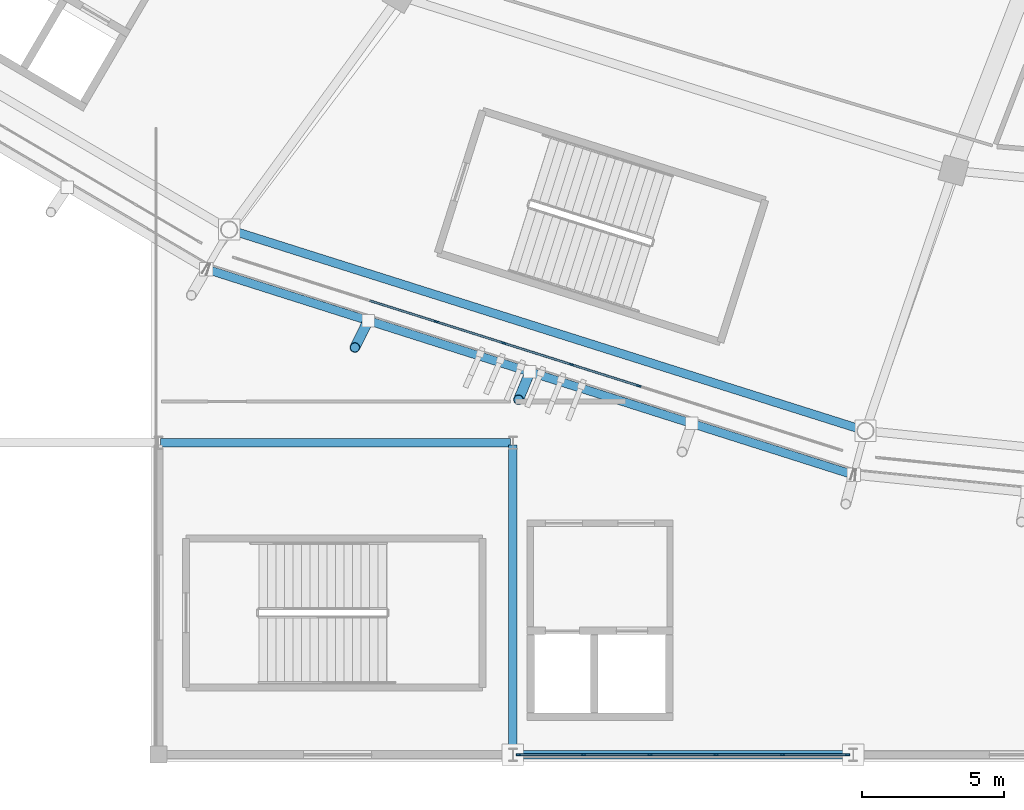
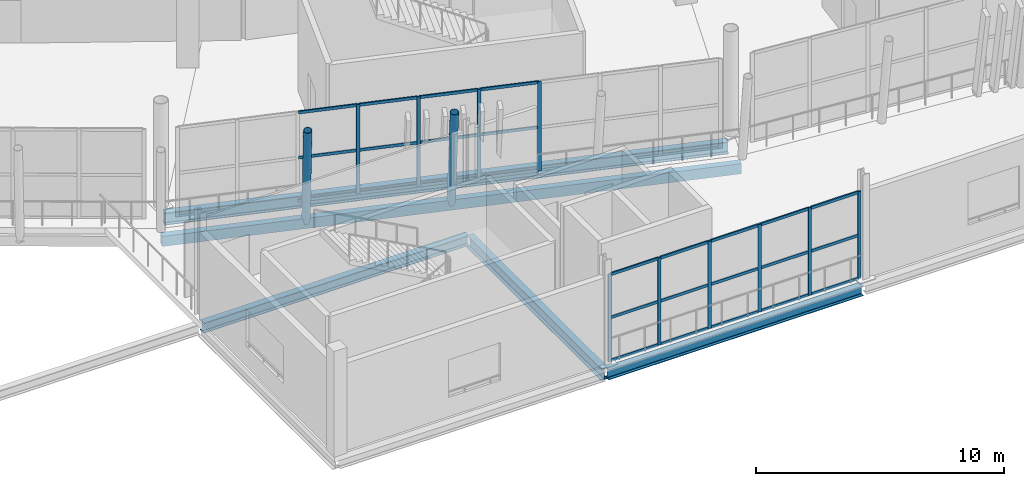
# One storey, part 32 of 178: 39 members, 5 beams, 2 elements without a shape of their own.
"""IFC4 building model written with IfcOpenShell, lengths in metres."""

import ifcopenshell
import ifcopenshell.guid

model = None  # the IFC model being written
_history = None  # IfcOwnerHistory: only IFC2X3 demands one
_inside = {}  # id of a spatial element -> (the spatial element, [elements in it])
_under = {}  # id of a project, library or spatial element -> (it, [spatial elements below it])
_declared = {}  # id of a project -> (the project, [libraries it declares])
_typed = {}  # id of a type object -> (the type object, [elements of that type])
_made_of = {}  # id of a material, layer set ... -> (it, [elements and type objects made of it])


def new_model(schema):
    """Start an empty IFC model of exactly this schema.

    Asked for "IFC4X3", IfcOpenShell would pick the latest addendum, in which some entities
    have other attributes; the version numbers below select the first issue.
    IFC2X3 requires an IfcOwnerHistory on every rooted entity: one is made here for all.
    """
    global model, _history
    if schema == "IFC4X3":
        model = ifcopenshell.file(schema_version=(4, 3, 0, 0))
    else:
        model = ifcopenshell.file(schema=schema)
    _inside.clear()
    _under.clear()
    _declared.clear()
    _typed.clear()
    _made_of.clear()
    _history = None
    if model.schema == "IFC2X3":
        org = make("IfcOrganization", Name="unknown")
        user = make(
            "IfcPersonAndOrganization",
            ThePerson=make("IfcPerson", FamilyName="unknown"),
            TheOrganization=org,
        )
        app = make(
            "IfcApplication",
            ApplicationDeveloper=org,
            Version="unknown",
            ApplicationFullName="unknown",
            ApplicationIdentifier="unknown",
        )
        _history = make(
            "IfcOwnerHistory",
            OwningUser=user,
            OwningApplication=app,
            ChangeAction="ADDED",
            CreationDate=0,
        )
    return model


def make(cls, **values):
    """One entity of the class cls with the attributes given. An attribute that is None is left unset."""
    return model.create_entity(
        cls, **{name: value for name, value in values.items() if value is not None}
    )


def rooted(cls, **values):
    """An entity with a GlobalId (a new one), such as an element, a storey or a relation."""
    return make(cls, GlobalId=ifcopenshell.guid.new(), OwnerHistory=_history, **values)


def si_unit(unit_type, name, prefix=None):
    """IfcSIUnit, for example si_unit("LENGTHUNIT", "METRE", prefix="MILLI")."""
    return make("IfcSIUnit", UnitType=unit_type, Prefix=prefix, Name=name)


def assignment(units):
    """IfcUnitAssignment: the units of a project."""
    return None if units is None else make("IfcUnitAssignment", Units=units)


def point(xyz):
    """IfcCartesianPoint."""
    return None if xyz is None else make("IfcCartesianPoint", Coordinates=xyz)


def direction(xyz):
    """IfcDirection."""
    return None if xyz is None else make("IfcDirection", DirectionRatios=xyz)


def frame(location, z_axis=None, x_axis=None):
    """IfcAxis2Placement3D, a coordinate frame: its origin and axes. An axis left out is left unset."""
    return make(
        "IfcAxis2Placement3D",
        Location=point(location),
        Axis=direction(z_axis),
        RefDirection=direction(x_axis),
    )


def frame_2d(location, x_axis=None):
    """IfcAxis2Placement2D, a coordinate frame in the plane: its origin and x axis."""
    return make(
        "IfcAxis2Placement2D", Location=point(location), RefDirection=direction(x_axis)
    )


def origin():
    """The frame at (0, 0, 0) with its axes left unset."""
    return frame((0.0, 0.0, 0.0))


def origin_2d():
    """The frame at (0, 0) in the plane with its x axis left unset."""
    return frame_2d((0.0, 0.0))


def place(relative_to, where):
    """IfcLocalPlacement: puts the frame where relative to a parent placement (None: the world)."""
    return make(
        "IfcLocalPlacement", PlacementRelTo=relative_to, RelativePlacement=where
    )


def context(
    kind, dimensions, precision=None, world=None, true_north=None, identifier=None
):
    """IfcGeometricRepresentationContext, for example the 3D "Model" context."""
    return make(
        "IfcGeometricRepresentationContext",
        ContextIdentifier=identifier,
        ContextType=kind,
        CoordinateSpaceDimension=dimensions,
        Precision=precision,
        WorldCoordinateSystem=world,
        TrueNorth=true_north,
    )


def subcontext(parent, identifier, kind, view, scale=None):
    """IfcGeometricRepresentationSubContext, for example "Body" below "Model"."""
    return make(
        "IfcGeometricRepresentationSubContext",
        ContextIdentifier=identifier,
        ContextType=kind,
        ParentContext=parent,
        TargetScale=scale,
        TargetView=view,
    )


def project(units=None, contexts=None):
    """IfcProject with its units and contexts."""
    return rooted(
        "IfcProject",
        Name="project",
        RepresentationContexts=contexts,
        UnitsInContext=assignment(units),
    )


def spatial(cls, under=None, at=None, **own):
    """A site, building, storey or space (cls), placed at a placement, below another one or the project."""
    s = rooted(cls, ObjectPlacement=at, **own)
    if under is not None:
        _under.setdefault(under.id(), (under, []))[1].append(s)
    return s


def profile(cls, at=None, kind="AREA", **sizes):
    """A parametric profile (cls). Its sizes go by their IFC names, for example OverallWidth=200.0."""
    return make(cls, ProfileType=kind, Position=at, **sizes)


def rectangle(**sizes):
    """IfcRectangleProfileDef."""
    return profile("IfcRectangleProfileDef", **sizes)


def hollow_rectangle(**sizes):
    """IfcRectangleHollowProfileDef."""
    return profile("IfcRectangleHollowProfileDef", **sizes)


def hollow_circle(**sizes):
    """IfcCircleHollowProfileDef."""
    return profile("IfcCircleHollowProfileDef", **sizes)


def i_section(**sizes):
    """IfcIShapeProfileDef."""
    return profile("IfcIShapeProfileDef", **sizes)


def extrude(swept, where, along, depth):
    """IfcExtrudedAreaSolid: the profile swept, set in the frame where, extruded along a direction by depth."""
    return make(
        "IfcExtrudedAreaSolid",
        SweptArea=swept,
        Position=where,
        ExtrudedDirection=direction(along),
        Depth=depth,
    )


def shape(context_of_items, identifier, shape_type, items):
    """IfcShapeRepresentation: the items that make up one representation, for example the "Body"."""
    return make(
        "IfcShapeRepresentation",
        ContextOfItems=context_of_items,
        RepresentationIdentifier=identifier,
        RepresentationType=shape_type,
        Items=items,
    )


def material(Name=None, Category=None):
    """IfcMaterial."""
    return make("IfcMaterial", Name=Name, Category=Category)


def material_profile(
    of_material, cross_section, Name=None, Category=None, Priority=None
):
    """IfcMaterialProfile: a cross section and its material."""
    return make(
        "IfcMaterialProfile",
        Name=Name,
        Material=of_material,
        Profile=cross_section,
        Priority=Priority,
        Category=Category,
    )


def profile_set(profiles, Name=None, composite=None):
    """IfcMaterialProfileSet."""
    return make(
        "IfcMaterialProfileSet",
        Name=Name,
        MaterialProfiles=profiles,
        CompositeProfile=composite,
    )


def made_of(thing, what):
    """Note that an element or type object is made of a material, layer set ...; save() writes the relation."""
    if what is not None:
        _made_of.setdefault(what.id(), (what, []))[1].append(thing)
    return thing


def type_object(cls, material=None, **own):
    """A type object (cls), such as IfcWallType, which elements share."""
    return made_of(rooted(cls, **own), material)


def element(
    cls,
    number,
    at=None,
    inside=None,
    cuts=None,
    type_object=None,
    material=None,
    context=None,
    identifier="Body",
    shape_type=None,
    held_by="IfcProductDefinitionShape",
    body=None,
    shapes=None,
    **own,
):
    """One element of the class cls, such as IfcWall. Its Tag is "e" and its number.

    at: its placement. inside: the storey or other place that contains it. cuts: it is an
    opening in that element (IfcRelVoidsElement). A single representation is given by context,
    identifier, shape_type and body (its items); several are given by shapes. held_by: the class
    of the entity that holds the representations. save() writes the other relations.
    """
    e = rooted(cls, Tag="e%d" % number, ObjectPlacement=at, **own)
    if body is not None:
        shapes = [shape(context, identifier, shape_type, body)]
    if shapes is not None:
        e.Representation = make(held_by, Representations=shapes)
    if inside is not None:
        _inside.setdefault(inside.id(), (inside, []))[1].append(e)
    if cuts is not None:
        rooted(
            "IfcRelVoidsElement", RelatingBuildingElement=cuts, RelatedOpeningElement=e
        )
    if type_object is not None:
        _typed.setdefault(type_object.id(), (type_object, []))[1].append(e)
    return made_of(e, material)


def aggregate(whole, parts):
    """IfcRelAggregates: a whole, such as a stair, and the parts it consists of."""
    return rooted("IfcRelAggregates", RelatingObject=whole, RelatedObjects=parts)


def save(model, path):
    """Write the relations noted so far, then the file.

    IfcRelAggregates (storeys below a building ...), IfcRelContainedInSpatialStructure (elements
    in a storey), IfcRelDefinesByType, IfcRelAssociatesMaterial and IfcRelDeclares: one each for
    every whole, place, type object, material and project.
    """
    for whole, parts in _under.values():
        aggregate(whole, parts)
    for where, things in _inside.values():
        rooted(
            "IfcRelContainedInSpatialStructure",
            RelatedElements=things,
            RelatingStructure=where,
        )
    for kind, things in _typed.values():
        rooted("IfcRelDefinesByType", RelatedObjects=things, RelatingType=kind)
    for what, things in _made_of.values():
        rooted("IfcRelAssociatesMaterial", RelatedObjects=things, RelatingMaterial=what)
    for by, libraries in _declared.values():
        rooted("IfcRelDeclares", RelatingContext=by, RelatedDefinitions=libraries)
    model.write(path)


model = new_model("IFC4")

# Units and contexts
model_context = context("Model", 3, precision=1e-05, world=origin(), true_north=direction((0.0, 1.0)))
body_context = subcontext(model_context, "Body", "Model", "MODEL_VIEW")
ifc_project = project(units=[si_unit("LENGTHUNIT", "METRE"), si_unit("AREAUNIT", "SQUARE_METRE"), si_unit("VOLUMEUNIT", "CUBIC_METRE"), si_unit("PLANEANGLEUNIT", "RADIAN"), si_unit("MASSUNIT", "GRAM", prefix="KILO")], contexts=[model_context])

# Site, building, storey
site_placement = place(None, origin())
site = spatial("IfcSite", under=ifc_project, at=site_placement, CompositionType="ELEMENT")
building_placement = place(site_placement, origin())
building = spatial("IfcBuilding", under=site, at=building_placement, Name="Zlatoyarsky Gate Stadium", CompositionType="ELEMENT")
storey_placement = place(building_placement, frame((0.0, 0.0, 5.39990234375)))
storey = spatial("IfcBuildingStorey", under=building, at=storey_placement, Name="L01", CompositionType="ELEMENT", Elevation=5.39990234375)

# Curtain wall, members
ifc_material_1 = material(Name="Thermally broken anodised aluminium curtain wall", Category="aluminium")
curtain_wall_type_1 = type_object("IfcCurtainWallType", Name="UNITISED HOSPITALITY GLAZING L01", PredefinedType="USERDEFINED", material=ifc_material_1)
curtain_wall_1_placement = place(storey_placement, origin())
curtain_wall_1 = element("IfcCurtainWall", 1, at=curtain_wall_1_placement, inside=storey, type_object=curtain_wall_type_1, Name="Curtain wall CW-L01-16", ObjectType="UNITISED GLAZING", PredefinedType="USERDEFINED")
ifc_material_2 = material(Name="Anodised aluminium 6063-T6", Category="aluminium")
ifc_material_profile_1 = material_profile(ifc_material_2, rectangle(XDim=0.06494140625, YDim=0.159912109375, at=origin_2d()), Name="ALU 65X160")
ifc_profile_set_1 = profile_set([ifc_material_profile_1], Name="Anodised aluminium 6063-T6")
member_type_1 = type_object("IfcMemberType", Name="ALUMINIUM MULLION 65X160", PredefinedType="MULLION", material=ifc_profile_set_1)
member_1_placement = place(storey_placement, frame((71.802001953125, 15.265380859375, 0.0), z_axis=(0.0, 0.0, 1.0), x_axis=(0.302333944964, 0.953202069722, 0.0)))
member_1 = element("IfcMember", 2, at=member_1_placement, type_object=member_type_1, Name="CW-UG1 mullion 4", PredefinedType="MULLION", context=body_context, shape_type="SweptSolid", body=[
    extrude(rectangle(XDim=0.06494140625, YDim=0.159912109375, at=origin_2d()), origin(), (0.0, 0.0, 1.0), 4.400146484375),
])
member_2_placement = place(storey_placement, frame((74.1806640625, 14.5107421875, 0.0), z_axis=(0.0, 0.0, 1.0), x_axis=(0.302333944964, 0.953202069722, 0.0)))
member_2 = element("IfcMember", 3, at=member_2_placement, type_object=member_type_1, Name="CW-UG1 mullion 5", PredefinedType="MULLION", context=body_context, shape_type="SweptSolid", body=[
    extrude(rectangle(XDim=0.06494140625, YDim=0.159912109375, at=origin_2d()), origin(), (0.0, 0.0, 1.0), 4.400146484375),
])
member_3_placement = place(storey_placement, frame((76.5595703125, 13.75634765625, 0.0), z_axis=(0.0, 0.0, 1.0), x_axis=(0.302333944964, 0.953202069722, 0.0)))
member_3 = element("IfcMember", 4, at=member_3_placement, type_object=member_type_1, Name="CW-UG1 mullion 6", PredefinedType="MULLION", context=body_context, shape_type="SweptSolid", body=[
    extrude(rectangle(XDim=0.06494140625, YDim=0.159912109375, at=origin_2d()), origin(), (0.0, 0.0, 1.0), 4.400146484375),
])
member_4_placement = place(storey_placement, frame((78.9384765625, 13.001708984375, 0.0), z_axis=(0.0, 0.0, 1.0), x_axis=(0.302333944964, 0.953202069722, 0.0)))
member_4 = element("IfcMember", 5, at=member_4_placement, type_object=member_type_1, Name="CW-UG1 mullion 7", PredefinedType="MULLION", context=body_context, shape_type="SweptSolid", body=[
    extrude(rectangle(XDim=0.06494140625, YDim=0.159912109375, at=origin_2d()), origin(), (0.0, 0.0, 1.0), 4.400146484375),
])

curtain_wall_type_2 = type_object("IfcCurtainWallType", Name="WINTER GARDEN CONSERVATORY GLAZING", PredefinedType="USERDEFINED", material=ifc_material_1)
curtain_wall_2_placement = place(storey_placement, origin())
curtain_wall_2 = element("IfcCurtainWall", 6, at=curtain_wall_2_placement, inside=storey, type_object=curtain_wall_type_2, Name="Curtain wall CW-V3_SOUTH-L01-157", ObjectType="UNITISED GLAZING", PredefinedType="USERDEFINED")
member_5_placement = place(storey_placement, frame((74.694580078125, 0.0, 0.0), z_axis=(0.0, 0.0, 1.0), x_axis=(0.0, 1.0, 0.0)))
member_5 = element("IfcMember", 7, at=member_5_placement, type_object=member_type_1, Name="CW-WG1 mullion 1", PredefinedType="MULLION", context=body_context, shape_type="SweptSolid", body=[
    extrude(rectangle(XDim=0.06494140625, YDim=0.159912109375, at=origin_2d()), origin(), (0.0, 0.0, 1.0), 4.300048828125),
])
member_6_placement = place(storey_placement, frame((76.997314453125, 0.0, 0.0), z_axis=(0.0, 0.0, 1.0), x_axis=(0.0, 1.0, 0.0)))
member_6 = element("IfcMember", 8, at=member_6_placement, type_object=member_type_1, Name="CW-WG1 mullion 2", PredefinedType="MULLION", context=body_context, shape_type="SweptSolid", body=[
    extrude(rectangle(XDim=0.06494140625, YDim=0.159912109375, at=origin_2d()), origin(), (0.0, 0.0, 1.0), 4.300048828125),
])
member_7_placement = place(storey_placement, frame((79.33251953125, 0.0, 0.0), z_axis=(0.0, 0.0, 1.0), x_axis=(0.0, 1.0, 0.0)))
member_7 = element("IfcMember", 9, at=member_7_placement, type_object=member_type_1, Name="CW-WG1 mullion 3", PredefinedType="MULLION", context=body_context, shape_type="SweptSolid", body=[
    extrude(rectangle(XDim=0.06494140625, YDim=0.159912109375, at=origin_2d()), origin(), (0.0, 0.0, 1.0), 4.300048828125),
])
member_8_placement = place(storey_placement, frame((81.66748046875, 0.0, 0.0), z_axis=(0.0, 0.0, 1.0), x_axis=(0.0, 1.0, 0.0)))
member_8 = element("IfcMember", 10, at=member_8_placement, type_object=member_type_1, Name="CW-WG1 mullion 4", PredefinedType="MULLION", context=body_context, shape_type="SweptSolid", body=[
    extrude(rectangle(XDim=0.06494140625, YDim=0.159912109375, at=origin_2d()), origin(), (0.0, 0.0, 1.0), 4.300048828125),
])
member_9_placement = place(storey_placement, frame((84.002685546875, 0.0, 0.0), z_axis=(0.0, 0.0, 1.0), x_axis=(0.0, 1.0, 0.0)))
member_9 = element("IfcMember", 11, at=member_9_placement, type_object=member_type_1, Name="CW-WG1 mullion 5", PredefinedType="MULLION", context=body_context, shape_type="SweptSolid", body=[
    extrude(rectangle(XDim=0.06494140625, YDim=0.159912109375, at=origin_2d()), origin(), (0.0, 0.0, 1.0), 4.300048828125),
])
member_10_placement = place(storey_placement, frame((86.305419921875, 0.0, 0.0), z_axis=(0.0, 0.0, 1.0), x_axis=(0.0, 1.0, 0.0)))
member_10 = element("IfcMember", 12, at=member_10_placement, type_object=member_type_1, Name="CW-WG1 mullion 6", PredefinedType="MULLION", context=body_context, shape_type="SweptSolid", body=[
    extrude(rectangle(XDim=0.06494140625, YDim=0.159912109375, at=origin_2d()), origin(), (0.0, 0.0, 1.0), 4.300048828125),
])

# Member
ifc_material_profile_2 = material_profile(ifc_material_2, rectangle(XDim=0.06494140625, YDim=0.139892578125, at=origin_2d()), Name="ALU 65X140")
ifc_profile_set_2 = profile_set([ifc_material_profile_2], Name="Anodised aluminium 6063-T6")
member_type_2 = type_object("IfcMemberType", Name="ALUMINIUM TRANSOM 65X140", PredefinedType="USERDEFINED", material=ifc_profile_set_2)
member_11_placement = place(storey_placement, frame((69.4541015625, 16.010009765625, 0.03271484375), z_axis=(0.953202400963, -0.302332900622, 0.0), x_axis=(0.302332900622, 0.953202400963, 0.0)))
member_11 = element("IfcMember", 13, at=member_11_placement, type_object=member_type_2, Name="CW-UG1 transom 3.1", ObjectType="TRANSOM", PredefinedType="USERDEFINED", context=body_context, shape_type="SweptSolid", body=[
    extrude(rectangle(XDim=0.06494140625, YDim=0.139892578125, at=origin_2d()), origin(), (0.0, 0.0, 1.0), 2.4306640625),
])

member_12_placement = place(storey_placement, frame((69.4541015625, 16.010009765625, 2.150146484375), z_axis=(0.953202400963, -0.302332900622, 0.0), x_axis=(0.302332900622, 0.953202400963, 0.0)))
member_12 = element("IfcMember", 14, at=member_12_placement, type_object=member_type_2, Name="CW-UG1 transom 3.2", ObjectType="TRANSOM", PredefinedType="USERDEFINED", context=body_context, shape_type="SweptSolid", body=[
    extrude(rectangle(XDim=0.06494140625, YDim=0.139892578125, at=origin_2d()), origin(), (0.0, 0.0, 1.0), 2.4306640625),
])

member_13_placement = place(storey_placement, frame((69.4541015625, 16.010009765625, 4.36767578125), z_axis=(0.953202400963, -0.302332900622, 0.0), x_axis=(0.302332900622, 0.953202400963, 0.0)))
member_13 = element("IfcMember", 15, at=member_13_placement, type_object=member_type_2, Name="CW-UG1 transom 3.3", ObjectType="TRANSOM", PredefinedType="USERDEFINED", context=body_context, shape_type="SweptSolid", body=[
    extrude(rectangle(XDim=0.06494140625, YDim=0.139892578125, at=origin_2d()), origin(), (0.0, 0.0, 1.0), 2.4306640625),
])

member_14_placement = place(storey_placement, frame((71.832763671875, 15.255615234375, 0.03271484375), z_axis=(0.953211580639, -0.302303957194, 0.0), x_axis=(0.302303957194, 0.953211580639, 0.0)))
member_14 = element("IfcMember", 16, at=member_14_placement, type_object=member_type_2, Name="CW-UG1 transom 4.1", ObjectType="TRANSOM", PredefinedType="USERDEFINED", context=body_context, shape_type="SweptSolid", body=[
    extrude(rectangle(XDim=0.06494140625, YDim=0.139892578125, at=origin_2d()), origin(), (0.0, 0.0, 1.0), 2.430908203125),
])

member_15_placement = place(storey_placement, frame((71.832763671875, 15.255615234375, 2.150146484375), z_axis=(0.953211580639, -0.302303957194, 0.0), x_axis=(0.302303957194, 0.953211580639, 0.0)))
member_15 = element("IfcMember", 17, at=member_15_placement, type_object=member_type_2, Name="CW-UG1 transom 4.2", ObjectType="TRANSOM", PredefinedType="USERDEFINED", context=body_context, shape_type="SweptSolid", body=[
    extrude(rectangle(XDim=0.06494140625, YDim=0.139892578125, at=origin_2d()), origin(), (0.0, 0.0, 1.0), 2.430908203125),
])

member_16_placement = place(storey_placement, frame((71.832763671875, 15.255615234375, 4.36767578125), z_axis=(0.953211580639, -0.302303957194, 0.0), x_axis=(0.302303957194, 0.953211580639, 0.0)))
member_16 = element("IfcMember", 18, at=member_16_placement, type_object=member_type_2, Name="CW-UG1 transom 4.3", ObjectType="TRANSOM", PredefinedType="USERDEFINED", context=body_context, shape_type="SweptSolid", body=[
    extrude(rectangle(XDim=0.06494140625, YDim=0.139892578125, at=origin_2d()), origin(), (0.0, 0.0, 1.0), 2.430908203125),
])

member_17_placement = place(storey_placement, frame((74.211669921875, 14.5009765625, 0.03271484375), z_axis=(0.953202400963, -0.302332900622, 0.0), x_axis=(0.302332900622, 0.953202400963, 0.0)))
member_17 = element("IfcMember", 19, at=member_17_placement, type_object=member_type_2, Name="CW-UG1 transom 5.1", ObjectType="TRANSOM", PredefinedType="USERDEFINED", context=body_context, shape_type="SweptSolid", body=[
    extrude(rectangle(XDim=0.06494140625, YDim=0.139892578125, at=origin_2d()), origin(), (0.0, 0.0, 1.0), 2.4306640625),
])

member_18_placement = place(storey_placement, frame((74.211669921875, 14.5009765625, 2.150146484375), z_axis=(0.953202400963, -0.302332900622, 0.0), x_axis=(0.302332900622, 0.953202400963, 0.0)))
member_18 = element("IfcMember", 20, at=member_18_placement, type_object=member_type_2, Name="CW-UG1 transom 5.2", ObjectType="TRANSOM", PredefinedType="USERDEFINED", context=body_context, shape_type="SweptSolid", body=[
    extrude(rectangle(XDim=0.06494140625, YDim=0.139892578125, at=origin_2d()), origin(), (0.0, 0.0, 1.0), 2.4306640625),
])

member_19_placement = place(storey_placement, frame((74.211669921875, 14.5009765625, 4.36767578125), z_axis=(0.953202400963, -0.302332900622, 0.0), x_axis=(0.302332900622, 0.953202400963, 0.0)))
member_19 = element("IfcMember", 21, at=member_19_placement, type_object=member_type_2, Name="CW-UG1 transom 5.3", ObjectType="TRANSOM", PredefinedType="USERDEFINED", context=body_context, shape_type="SweptSolid", body=[
    extrude(rectangle(XDim=0.06494140625, YDim=0.139892578125, at=origin_2d()), origin(), (0.0, 0.0, 1.0), 2.4306640625),
])

member_20_placement = place(storey_placement, frame((76.590576171875, 13.74658203125, 0.03271484375), z_axis=(0.953173451414, -0.302424158294, 0.0), x_axis=(0.302424158294, 0.953173451414, 0.0)))
member_20 = element("IfcMember", 22, at=member_20_placement, type_object=member_type_2, Name="CW-UG1 transom 6.1", ObjectType="TRANSOM", PredefinedType="USERDEFINED", context=body_context, shape_type="SweptSolid", body=[
    extrude(rectangle(XDim=0.06494140625, YDim=0.139892578125, at=origin_2d()), origin(), (0.0, 0.0, 1.0), 2.4306640625),
])

member_21_placement = place(storey_placement, frame((76.590576171875, 13.74658203125, 2.150146484375), z_axis=(0.953173451414, -0.302424158294, 0.0), x_axis=(0.302424158294, 0.953173451414, 0.0)))
member_21 = element("IfcMember", 23, at=member_21_placement, type_object=member_type_2, Name="CW-UG1 transom 6.2", ObjectType="TRANSOM", PredefinedType="USERDEFINED", context=body_context, shape_type="SweptSolid", body=[
    extrude(rectangle(XDim=0.06494140625, YDim=0.139892578125, at=origin_2d()), origin(), (0.0, 0.0, 1.0), 2.4306640625),
])

member_22_placement = place(storey_placement, frame((76.590576171875, 13.74658203125, 4.36767578125), z_axis=(0.953173451414, -0.302424158294, 0.0), x_axis=(0.302424158294, 0.953173451414, 0.0)))
member_22 = element("IfcMember", 24, at=member_22_placement, type_object=member_type_2, Name="CW-UG1 transom 6.3", ObjectType="TRANSOM", PredefinedType="USERDEFINED", context=body_context, shape_type="SweptSolid", body=[
    extrude(rectangle(XDim=0.06494140625, YDim=0.139892578125, at=origin_2d()), origin(), (0.0, 0.0, 1.0), 2.4306640625),
])

aggregate(curtain_wall_1, [member_1, member_2, member_3, member_4, member_11, member_12, member_13, member_14, member_15, member_16, member_17, member_18, member_19, member_20, member_21, member_22])

member_23_placement = place(storey_placement, frame((74.72705078125, 0.0, 0.03271484375), z_axis=(1.0, 0.0, 0.0), x_axis=(0.0, 1.0, 0.0)))
member_23 = element("IfcMember", 25, at=member_23_placement, type_object=member_type_2, Name="CW-WG1 transom 1.1", ObjectType="TRANSOM", PredefinedType="USERDEFINED", context=body_context, shape_type="SweptSolid", body=[
    extrude(rectangle(XDim=0.06494140625, YDim=0.139892578125, at=origin_2d()), origin(), (0.0, 0.0, 1.0), 2.237548828125),
])

member_24_placement = place(storey_placement, frame((74.72705078125, 0.0, 2.150146484375), z_axis=(1.0, 0.0, 0.0), x_axis=(0.0, 1.0, 0.0)))
member_24 = element("IfcMember", 26, at=member_24_placement, type_object=member_type_2, Name="CW-WG1 transom 1.2", ObjectType="TRANSOM", PredefinedType="USERDEFINED", context=body_context, shape_type="SweptSolid", body=[
    extrude(rectangle(XDim=0.06494140625, YDim=0.139892578125, at=origin_2d()), origin(), (0.0, 0.0, 1.0), 2.237548828125),
])

member_25_placement = place(storey_placement, frame((74.72705078125, 0.0, 4.267578125), z_axis=(1.0, 0.0, 0.0), x_axis=(0.0, 1.0, 0.0)))
member_25 = element("IfcMember", 27, at=member_25_placement, type_object=member_type_2, Name="CW-WG1 transom 1.3", ObjectType="TRANSOM", PredefinedType="USERDEFINED", context=body_context, shape_type="SweptSolid", body=[
    extrude(rectangle(XDim=0.06494140625, YDim=0.139892578125, at=origin_2d()), origin(), (0.0, 0.0, 1.0), 2.237548828125),
])

member_26_placement = place(storey_placement, frame((77.02978515625, 0.0, 0.03271484375), z_axis=(1.0, 0.0, 0.0), x_axis=(0.0, 1.0, 0.0)))
member_26 = element("IfcMember", 28, at=member_26_placement, type_object=member_type_2, Name="CW-WG1 transom 2.1", ObjectType="TRANSOM", PredefinedType="USERDEFINED", context=body_context, shape_type="SweptSolid", body=[
    extrude(rectangle(XDim=0.06494140625, YDim=0.139892578125, at=origin_2d()), origin(), (0.0, 0.0, 1.0), 2.27001953125),
])

member_27_placement = place(storey_placement, frame((77.02978515625, 0.0, 2.150146484375), z_axis=(1.0, 0.0, 0.0), x_axis=(0.0, 1.0, 0.0)))
member_27 = element("IfcMember", 29, at=member_27_placement, type_object=member_type_2, Name="CW-WG1 transom 2.2", ObjectType="TRANSOM", PredefinedType="USERDEFINED", context=body_context, shape_type="SweptSolid", body=[
    extrude(rectangle(XDim=0.06494140625, YDim=0.139892578125, at=origin_2d()), origin(), (0.0, 0.0, 1.0), 2.27001953125),
])

member_28_placement = place(storey_placement, frame((77.02978515625, 0.0, 4.267578125), z_axis=(1.0, 0.0, 0.0), x_axis=(0.0, 1.0, 0.0)))
member_28 = element("IfcMember", 30, at=member_28_placement, type_object=member_type_2, Name="CW-WG1 transom 2.3", ObjectType="TRANSOM", PredefinedType="USERDEFINED", context=body_context, shape_type="SweptSolid", body=[
    extrude(rectangle(XDim=0.06494140625, YDim=0.139892578125, at=origin_2d()), origin(), (0.0, 0.0, 1.0), 2.27001953125),
])

member_29_placement = place(storey_placement, frame((79.364990234375, 0.0, 0.03271484375), z_axis=(1.0, 0.0, 0.0), x_axis=(0.0, 1.0, 0.0)))
member_29 = element("IfcMember", 31, at=member_29_placement, type_object=member_type_2, Name="CW-WG1 transom 3.1", ObjectType="TRANSOM", PredefinedType="USERDEFINED", context=body_context, shape_type="SweptSolid", body=[
    extrude(rectangle(XDim=0.06494140625, YDim=0.139892578125, at=origin_2d()), origin(), (0.0, 0.0, 1.0), 2.27001953125),
])

member_30_placement = place(storey_placement, frame((79.364990234375, 0.0, 2.150146484375), z_axis=(1.0, 0.0, 0.0), x_axis=(0.0, 1.0, 0.0)))
member_30 = element("IfcMember", 32, at=member_30_placement, type_object=member_type_2, Name="CW-WG1 transom 3.2", ObjectType="TRANSOM", PredefinedType="USERDEFINED", context=body_context, shape_type="SweptSolid", body=[
    extrude(rectangle(XDim=0.06494140625, YDim=0.139892578125, at=origin_2d()), origin(), (0.0, 0.0, 1.0), 2.27001953125),
])

member_31_placement = place(storey_placement, frame((79.364990234375, 0.0, 4.267578125), z_axis=(1.0, 0.0, 0.0), x_axis=(0.0, 1.0, 0.0)))
member_31 = element("IfcMember", 33, at=member_31_placement, type_object=member_type_2, Name="CW-WG1 transom 3.3", ObjectType="TRANSOM", PredefinedType="USERDEFINED", context=body_context, shape_type="SweptSolid", body=[
    extrude(rectangle(XDim=0.06494140625, YDim=0.139892578125, at=origin_2d()), origin(), (0.0, 0.0, 1.0), 2.27001953125),
])

member_32_placement = place(storey_placement, frame((81.7001953125, 0.0, 0.03271484375), z_axis=(1.0, 0.0, 0.0), x_axis=(0.0, 1.0, 0.0)))
member_32 = element("IfcMember", 34, at=member_32_placement, type_object=member_type_2, Name="CW-WG1 transom 4.1", ObjectType="TRANSOM", PredefinedType="USERDEFINED", context=body_context, shape_type="SweptSolid", body=[
    extrude(rectangle(XDim=0.06494140625, YDim=0.139892578125, at=origin_2d()), origin(), (0.0, 0.0, 1.0), 2.27001953125),
])

member_33_placement = place(storey_placement, frame((81.7001953125, 0.0, 2.150146484375), z_axis=(1.0, 0.0, 0.0), x_axis=(0.0, 1.0, 0.0)))
member_33 = element("IfcMember", 35, at=member_33_placement, type_object=member_type_2, Name="CW-WG1 transom 4.2", ObjectType="TRANSOM", PredefinedType="USERDEFINED", context=body_context, shape_type="SweptSolid", body=[
    extrude(rectangle(XDim=0.06494140625, YDim=0.139892578125, at=origin_2d()), origin(), (0.0, 0.0, 1.0), 2.27001953125),
])

member_34_placement = place(storey_placement, frame((81.7001953125, 0.0, 4.267578125), z_axis=(1.0, 0.0, 0.0), x_axis=(0.0, 1.0, 0.0)))
member_34 = element("IfcMember", 36, at=member_34_placement, type_object=member_type_2, Name="CW-WG1 transom 4.3", ObjectType="TRANSOM", PredefinedType="USERDEFINED", context=body_context, shape_type="SweptSolid", body=[
    extrude(rectangle(XDim=0.06494140625, YDim=0.139892578125, at=origin_2d()), origin(), (0.0, 0.0, 1.0), 2.27001953125),
])

member_35_placement = place(storey_placement, frame((84.035400390625, 0.0, 0.03271484375), z_axis=(1.0, 0.0, 0.0), x_axis=(0.0, 1.0, 0.0)))
member_35 = element("IfcMember", 37, at=member_35_placement, type_object=member_type_2, Name="CW-WG1 transom 5.1", ObjectType="TRANSOM", PredefinedType="USERDEFINED", context=body_context, shape_type="SweptSolid", body=[
    extrude(rectangle(XDim=0.06494140625, YDim=0.139892578125, at=origin_2d()), origin(), (0.0, 0.0, 1.0), 2.237548828125),
])

member_36_placement = place(storey_placement, frame((84.035400390625, 0.0, 2.150146484375), z_axis=(1.0, 0.0, 0.0), x_axis=(0.0, 1.0, 0.0)))
member_36 = element("IfcMember", 38, at=member_36_placement, type_object=member_type_2, Name="CW-WG1 transom 5.2", ObjectType="TRANSOM", PredefinedType="USERDEFINED", context=body_context, shape_type="SweptSolid", body=[
    extrude(rectangle(XDim=0.06494140625, YDim=0.139892578125, at=origin_2d()), origin(), (0.0, 0.0, 1.0), 2.237548828125),
])

member_37_placement = place(storey_placement, frame((84.035400390625, 0.0, 4.267578125), z_axis=(1.0, 0.0, 0.0), x_axis=(0.0, 1.0, 0.0)))
member_37 = element("IfcMember", 39, at=member_37_placement, type_object=member_type_2, Name="CW-WG1 transom 5.3", ObjectType="TRANSOM", PredefinedType="USERDEFINED", context=body_context, shape_type="SweptSolid", body=[
    extrude(rectangle(XDim=0.06494140625, YDim=0.139892578125, at=origin_2d()), origin(), (0.0, 0.0, 1.0), 2.237548828125),
])

aggregate(curtain_wall_2, [member_5, member_6, member_7, member_8, member_9, member_10, member_23, member_24, member_25, member_26, member_27, member_28, member_29, member_30, member_31, member_32, member_33, member_34, member_35, member_36, member_37])

# Members
ifc_material_3 = material(Name="Steel S355", Category="steel")
ifc_material_profile_3 = material_profile(ifc_material_3, hollow_circle(Radius=0.177734375, WallThickness=0.02001953125, at=origin_2d()), Name="CHS 355.6X20")
ifc_profile_set_3 = profile_set([ifc_material_profile_3], Name="Steel S355")
member_type_3 = type_object("IfcMemberType", Name="STEEL LEANING RIB RING STRUT CHS 355.6X20", PredefinedType="STRUT", material=ifc_profile_set_3)
member_38_placement = place(storey_placement, frame((69.400146484375, 15.305908203125, -0.5498046875), z_axis=(-0.088092869249, -0.178569104367, 0.979975877944), x_axis=(0.896808320254, -0.442419299673, 0.0)))
element("IfcMember", 40, at=member_38_placement, inside=storey, type_object=member_type_3, Name="Outward-leaning bowl louvre fin rib L01 16-1", PredefinedType="STRUT", context=body_context, shape_type="SweptSolid", body=[
    extrude(hollow_circle(Radius=0.177734375, WallThickness=0.02001953125, at=origin_2d()), origin(), (0.0, 0.0, 1.0), 5.32666015625),
])
member_39_placement = place(storey_placement, frame((75.1044921875, 13.492431640625, -0.5498046875), z_axis=(-0.075999402803, -0.18358118711, 0.98006226257), x_axis=(0.923954987956, -0.382501215988, 0.0)))
element("IfcMember", 41, at=member_39_placement, inside=storey, type_object=member_type_3, Name="Outward-leaning bowl louvre fin rib L01 16-2", PredefinedType="STRUT", context=body_context, shape_type="SweptSolid", body=[
    extrude(hollow_circle(Radius=0.177734375, WallThickness=0.02001953125, at=origin_2d()), origin(), (0.0, 0.0, 1.0), 5.326171875),
])

# Beams
ifc_material_profile_4 = material_profile(ifc_material_3, hollow_rectangle(XDim=0.300048828125, YDim=0.5, WallThickness=0.02001953125, at=origin_2d()), Name="RHS 500X300X20")
ifc_profile_set_4 = profile_set([ifc_material_profile_4], Name="Steel S355")
beam_type_1 = type_object("IfcBeamType", Name="STEEL LOUVRE CARRIER SPANDREL RHS 500X300X20", PredefinedType="SPANDREL", material=ifc_profile_set_4)
beam_1_placement = place(storey_placement, frame((63.71484375, 17.113037109375, -0.5498046875), z_axis=(0.953005292775, -0.302953646525, 0.0), x_axis=(0.302953646525, 0.953005292775, 0.0)))
element("IfcBeam", 42, at=beam_1_placement, inside=storey, type_object=beam_type_1, Name="Beam SP-RHS500 BM-L01-SPD-16", PredefinedType="SPANDREL", context=body_context, shape_type="SweptSolid", body=[
    extrude(hollow_rectangle(XDim=0.300048828125, YDim=0.5, WallThickness=0.02001953125, at=origin_2d()), origin(), (0.0, 0.0, 1.0), 23.90283203125),
])
ifc_material_profile_5 = material_profile(ifc_material_3, i_section(OverallWidth=0.300048828125, OverallDepth=0.5, WebThickness=0.014404296875, FlangeThickness=0.028076171875, FilletRadius=0.027099609375, at=origin_2d()), Name="HEB 500")
ifc_profile_set_5 = profile_set([ifc_material_profile_5], Name="Steel S355")
beam_type_2 = type_object("IfcBeamType", Name="STEEL PRIMARY GIRDER HEB 500", PredefinedType="BEAM", material=ifc_profile_set_5)
beam_2_placement = place(storey_placement, frame((62.080078125, 11.0, -0.5498046875), z_axis=(1.0, 0.0, 0.0), x_axis=(0.0, 1.0, 0.0)))
element("IfcBeam", 43, at=beam_2_placement, inside=storey, type_object=beam_type_2, Name="Beam G-HEB500 BM-L01-WGX-6-B", PredefinedType="BEAM", context=body_context, shape_type="SweptSolid", body=[
    extrude(i_section(OverallWidth=0.300048828125, OverallDepth=0.5, WebThickness=0.014404296875, FlangeThickness=0.028076171875, FilletRadius=0.027099609375, at=origin_2d()), origin(), (0.0, 0.0, 1.0), 12.33984375),
])
beam_3_placement = place(storey_placement, frame((74.580078125, 0.0, -0.5498046875), z_axis=(1.0, 0.0, 0.0), x_axis=(0.0, 1.0, 0.0)))
element("IfcBeam", 44, at=beam_3_placement, inside=storey, type_object=beam_type_2, Name="Beam G-HEB500 BM-L01-WGX-7-A", PredefinedType="BEAM", context=body_context, shape_type="SweptSolid", body=[
    extrude(i_section(OverallWidth=0.300048828125, OverallDepth=0.5, WebThickness=0.014404296875, FlangeThickness=0.028076171875, FilletRadius=0.027099609375, at=origin_2d()), origin(), (0.0, 0.0, 1.0), 11.83984375),
])
ifc_material_profile_6 = material_profile(ifc_material_3, i_section(OverallWidth=0.300048828125, OverallDepth=0.60009765625, WebThickness=0.015380859375, FlangeThickness=0.030029296875, FilletRadius=0.027099609375, at=origin_2d()), Name="HEB 600")
ifc_profile_set_6 = profile_set([ifc_material_profile_6], Name="Steel S355")
beam_type_3 = type_object("IfcBeamType", Name="STEEL PRIMARY GIRDER HEB 600", PredefinedType="BEAM", material=ifc_profile_set_6)
beam_4_placement = place(storey_placement, frame((64.614501953125, 18.47607421875, -0.599853515625), z_axis=(0.953463107403, -0.301509706015, 0.0), x_axis=(0.301509706015, 0.953463107403, 0.0)))
element("IfcBeam", 45, at=beam_4_placement, inside=storey, type_object=beam_type_3, Name="Beam G-HEB600 BM-L01-CRC-16", PredefinedType="BEAM", context=body_context, shape_type="SweptSolid", body=[
    extrude(i_section(OverallWidth=0.300048828125, OverallDepth=0.60009765625, WebThickness=0.015380859375, FlangeThickness=0.030029296875, FilletRadius=0.027099609375, at=origin_2d()), origin(), (0.0, 0.0, 1.0), 23.284423828125),
])
beam_5_placement = place(storey_placement, frame((74.5, 0.080078125, -0.599853515625), z_axis=(0.0, 1.0, 0.0), x_axis=(-1.0, 0.0, 0.0)))
element("IfcBeam", 46, at=beam_5_placement, inside=storey, type_object=beam_type_3, Name="Beam G-HEB600 BM-L01-WGY-7-A", PredefinedType="BEAM", context=body_context, shape_type="SweptSolid", body=[
    extrude(i_section(OverallWidth=0.300048828125, OverallDepth=0.60009765625, WebThickness=0.015380859375, FlangeThickness=0.030029296875, FilletRadius=0.027099609375, at=origin_2d()), origin(), (0.0, 0.0, 1.0), 10.83984375),
])

save(model, "model.ifc")
